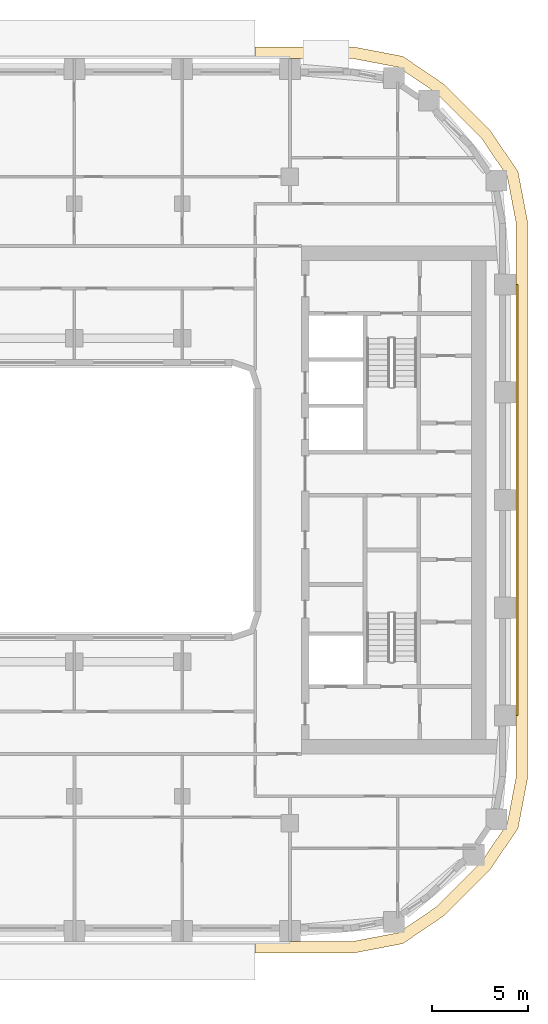
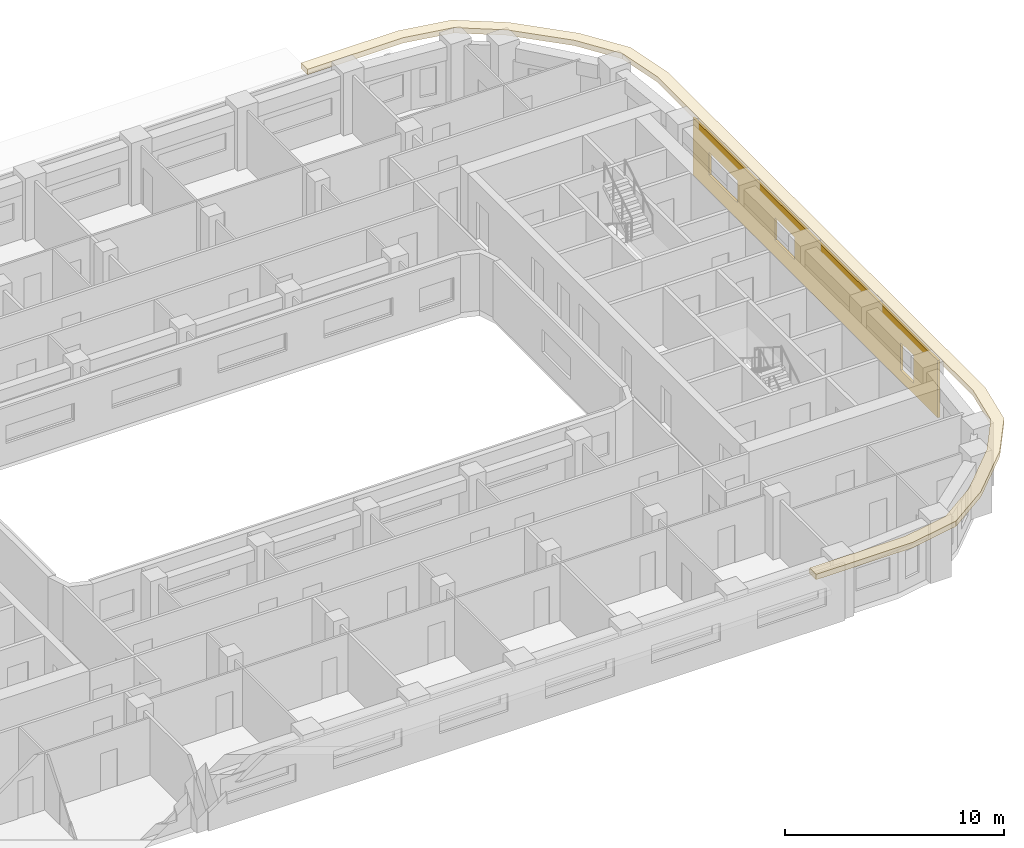
# One storey, part 18 of 22: 2 coverings.
"""IFC4 building model written with IfcOpenShell, lengths in metres."""

from ifc_helpers import new_model, si_unit, direction, frame, origin, place, context, subcontext, project, spatial, polyline, outline, extrude, material, layer, layer_set, type_object, element, save


model = new_model("IFC4")

# Units and contexts
model_context = context("Model", 3, precision=1e-05, world=origin(), true_north=direction((0.0, 1.0)))
body_context = subcontext(model_context, "Body", "Model", "MODEL_VIEW")
ifc_project = project(units=[si_unit("LENGTHUNIT", "METRE"), si_unit("AREAUNIT", "SQUARE_METRE"), si_unit("VOLUMEUNIT", "CUBIC_METRE"), si_unit("PLANEANGLEUNIT", "RADIAN"), si_unit("MASSUNIT", "GRAM", prefix="KILO")], contexts=[model_context])

# Site, building, storey
site_placement = place(None, origin())
site = spatial("IfcSite", under=ifc_project, at=site_placement, CompositionType="ELEMENT")
building_placement = place(site_placement, origin())
building = spatial("IfcBuilding", under=site, at=building_placement, Name="Kiln Ring Residences", CompositionType="ELEMENT")
storey_placement = place(building_placement, frame((0.0, 0.0, 153.60009765625)))
storey = spatial("IfcBuildingStorey", under=building, at=storey_placement, Name="L39", CompositionType="ELEMENT", Elevation=153.60009765625)

# Coverings
ifc_material_1 = material(Name="Brick masonry, dark clay brick", Category="masonry")
ifc_layer_1 = layer(ifc_material_1, 0.1201171875)
ifc_layer_set_1 = layer_set([ifc_layer_1], Name="RAINSCREEN PANEL 120")
covering_type_1 = type_object("IfcCoveringType", Name="RAINSCREEN PANEL 120", PredefinedType="CLADDING", material=ifc_layer_set_1)
covering_1_placement = place(storey_placement, frame((28.610107421875, -11.199951171875, 0.0), z_axis=(0.0, 0.0, 1.0), x_axis=(0.0, 1.0, 0.0)))
element("IfcCovering", 1, at=covering_1_placement, inside=storey, type_object=covering_type_1, Name="RAINSCREEN L39", PredefinedType="CLADDING", context=body_context, shape_type="SweptSolid", body=[
    extrude(outline(polyline([(0.0, 0.0), (22.39990234375, 0.0), (22.39990234375, 3.199951171875), (0.0, 3.199951171875), (0.0, 0.0)]), holes=[polyline([(3.39990234375, 2.14990234375), (2.199951171875, 2.14990234375), (2.199951171875, 0.599853515625), (3.39990234375, 0.599853515625), (3.39990234375, 2.14990234375)]), polyline([(14.89990234375, 0.89990234375), (14.89990234375, 2.14990234375), (13.10009765625, 2.14990234375), (13.10009765625, 0.89990234375), (14.89990234375, 0.89990234375)]), polyline([(20.89990234375, 0.89990234375), (20.89990234375, 2.14990234375), (18.300048828125, 2.14990234375), (18.300048828125, 0.89990234375), (20.89990234375, 0.89990234375)])]), frame((0.0, 0.06005859375, 0.0), z_axis=(0.0, -1.0, 0.0), x_axis=(1.0, 0.0, 0.0)), (0.0, 0.0, 1.0), 0.1201171875),
])
ifc_material_2 = material(Name="Black powder-coated steel", Category="steel")
ifc_layer_2 = layer(ifc_material_2, 0.300048828125)
ifc_layer_set_2 = layer_set([ifc_layer_2], Name="SUNSHADE FIN 600")
covering_type_2 = type_object("IfcCoveringType", Name="SUNSHADE FIN 600", PredefinedType="CLADDING", material=ifc_layer_set_2)
covering_2_placement = place(storey_placement, frame((0.0, 0.0, 3.199951171875)))
element("IfcCovering", 2, at=covering_2_placement, inside=storey, type_object=covering_type_2, Name="SUNSHADE FIN L39", PredefinedType="CLADDING", context=body_context, shape_type="SweptSolid", body=[
    extrude(outline(polyline([(20.108642578125, 23.550048828125), (15.0, 23.550048828125), (15.0, 22.949951171875), (20.052001953125, 22.949951171875), (22.439208984375, 22.49462890625), (24.44921875, 21.128662109375), (26.728515625, 18.84912109375), (28.0947265625, 16.839111328125), (28.550048828125, 14.451904296875), (28.550048828125, -14.451904296875), (28.0947265625, -16.839111328125), (26.728515625, -18.84912109375), (24.44921875, -21.128662109375), (22.439208984375, -22.49462890625), (20.052001953125, -22.949951171875), (15.0, -22.949951171875), (15.0, -23.550048828125), (20.108642578125, -23.550048828125), (22.673583984375, -23.060791015625), (24.83349609375, -21.593017578125), (27.193115234375, -19.2333984375), (28.66064453125, -17.07373046875), (29.14990234375, -14.5087890625), (29.14990234375, 14.5087890625), (28.66064453125, 17.07373046875), (27.193115234375, 19.2333984375), (24.83349609375, 21.593017578125), (22.673583984375, 23.060791015625), (20.108642578125, 23.550048828125)])), origin(), (0.0, 0.0, 1.0), 0.300048828125),
])

save(model, "model.ifc")
